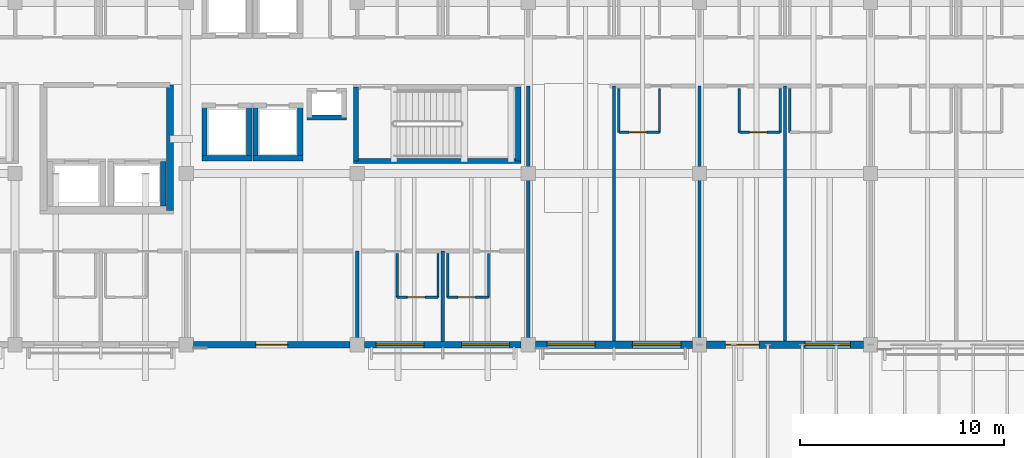
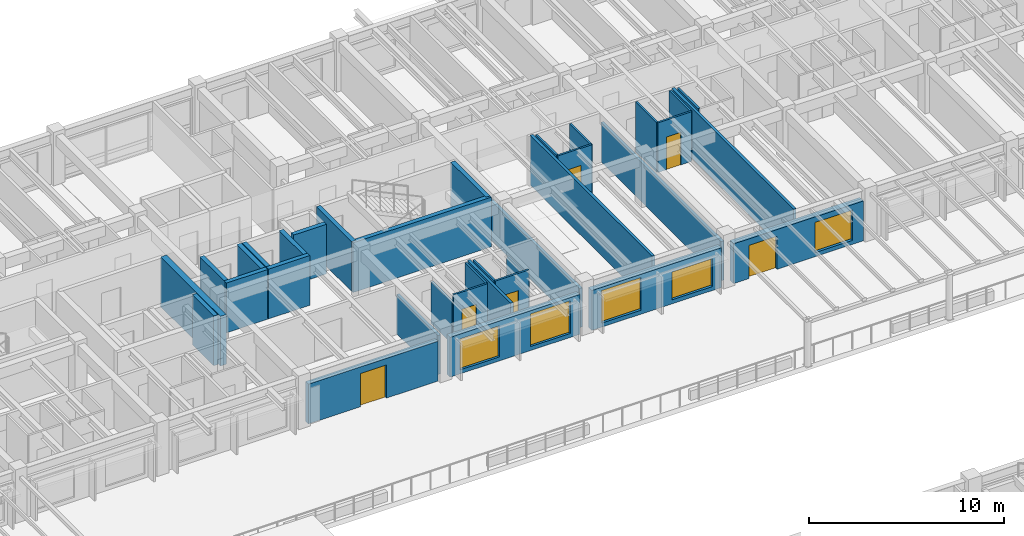
# One storey, part 88 of 111: 35 walls, 6 doors, 5 windows, 11 openings.
"""IFC4 building model written with IfcOpenShell, lengths in metres."""

from ifc_helpers import new_model, si_unit, direction, frame, frame_2d, origin, place, context, subcontext, project, spatial, rectangle, extrude, material, layer, layer_set, type_object, element, fill, save


model = new_model("IFC4")

# Units and contexts
model_context = context("Model", 3, precision=1e-05, world=origin(), true_north=direction((0.0, 1.0)))
body_context = subcontext(model_context, "Body", "Model", "MODEL_VIEW")
ifc_project = project(units=[si_unit("LENGTHUNIT", "METRE"), si_unit("AREAUNIT", "SQUARE_METRE"), si_unit("VOLUMEUNIT", "CUBIC_METRE"), si_unit("PLANEANGLEUNIT", "RADIAN"), si_unit("MASSUNIT", "GRAM", prefix="KILO")], contexts=[model_context])

# Site, building, storey
site_placement = place(None, origin())
site = spatial("IfcSite", under=ifc_project, at=site_placement, CompositionType="ELEMENT")
building_placement = place(site_placement, origin())
building = spatial("IfcBuilding", under=site, at=building_placement, Name="Cumbredor Promenade Congress Hotel", CompositionType="ELEMENT")
storey_placement = place(building_placement, frame((0.0, 0.0, 15.1201171875)))
storey = spatial("IfcBuildingStorey", under=building, at=storey_placement, Name="L04", CompositionType="ELEMENT", Elevation=15.1201171875)

# Wall
ifc_material_1 = material(Name="Concrete C50/60", Category="concrete")
ifc_layer_1 = layer(ifc_material_1, 0.35009765625, Name="Concrete C50/60", Category="concrete")
ifc_layer_set_1 = layer_set([ifc_layer_1], Name="Concrete C50/60")
wall_type_1 = type_object("IfcWallType", Name="Seismic Shear Core Wall 350mm", PredefinedType="SHEAR", material=ifc_layer_set_1)
wall_1_placement = place(storey_placement, frame((32.800048828125, 99.0, 0.0), z_axis=(0.0, 0.0, 1.0), x_axis=(0.0, 1.0, 0.0)))
element("IfcWall", 1, at=wall_1_placement, inside=storey, type_object=wall_type_1, Name="L04 Hotel Core Shear Wall E1", PredefinedType="SHEAR", context=body_context, shape_type="SweptSolid", body=[
    extrude(rectangle(XDim=6.14990234375, YDim=0.35009765625, at=frame_2d((3.074951171875, 0.0))), origin(), (0.0, 0.0, 1.0), 3.119873046875),
])

# Wall, opening, door
ifc_material_2 = material(Name="Moisture-resistant gypsum board on steel studs", Category="steel")
ifc_layer_2 = layer(ifc_material_2, 0.114990234375, Name="Moisture-resistant gypsum board on steel studs", Category="steel")
ifc_layer_set_2 = layer_set([ifc_layer_2], Name="Moisture-resistant gypsum board on steel studs")
wall_type_2 = type_object("IfcWallType", Name="WL-BATH-115", PredefinedType="PARTITIONING", material=ifc_layer_set_2)
wall_2_placement = place(storey_placement, frame((43.9599609375, 94.72998046875, 0.0), z_axis=(0.0, 0.0, 1.0), x_axis=(1.0, 0.0, 0.0)))
wall_2 = element("IfcWall", 2, at=wall_2_placement, inside=storey, type_object=wall_type_2, Name="L04 Interior Partition W-L04-BH-04711", PredefinedType="PARTITIONING", context=body_context, shape_type="SweptSolid", body=[
    extrude(rectangle(XDim=2.0, YDim=0.114990234375, at=frame_2d((1.0, 0.0))), origin(), (0.0, 0.0, 1.0), 3.119873046875),
])
opening_1_placement = place(wall_2_placement, frame((0.5, 0.0, 0.0)))
opening_1 = element("IfcOpeningElement", 3, at=opening_1_placement, cuts=wall_2, Name="Opening ID-01", PredefinedType="OPENING", context=body_context, shape_type="SweptSolid", body=[
    extrude(rectangle(XDim=0.860107421875, YDim=2.050048828125, at=frame_2d((0.43017578125, 1.02490234375))), frame((0.0, 0.0673828125, 0.0), z_axis=(0.0, -1.0, 0.0), x_axis=(1.0, 0.0, 0.0)), (0.0, 0.0, 1.0), 0.135009765625),
])
ifc_material_3 = material(Name="Kiln-dried tropical hardwood", Category="wood")
door_type_1 = type_object("IfcDoorType", Name="DR-BATH-860", OperationType="NOTDEFINED", PredefinedType="DOOR", material=ifc_material_3)
door_1_placement = place(opening_1_placement, origin())
door_1 = element("IfcDoor", 4, at=door_1_placement, inside=storey, type_object=door_type_1, Name="L04 Interior Door W-L04-BH-04711-01", OperationType="SINGLE_SWING_LEFT", OverallHeight=2.050048828125, OverallWidth=0.860107421875, PredefinedType="DOOR", context=body_context, shape_type="SweptSolid", body=[
    extrude(rectangle(XDim=0.860107421875, YDim=2.050048828125, at=frame_2d((0.43017578125, 1.02490234375))), frame((0.0, 0.02490234375, 0.0), z_axis=(0.0, -1.0, 0.0), x_axis=(1.0, 0.0, 0.0)), (0.0, 0.0, 1.0), 0.050048828125),
])
fill(opening_1, door_1)

# Walls
wall_3_placement = place(storey_placement, frame((43.9599609375, 94.72998046875, 0.0), z_axis=(0.0, 0.0, 1.0), x_axis=(0.0, 1.0, 0.0)))
element("IfcWall", 5, at=wall_3_placement, inside=storey, type_object=wall_type_2, Name="L04 Interior Partition W-L04-BV1-04711", PredefinedType="PARTITIONING", context=body_context, shape_type="SweptSolid", body=[
    extrude(rectangle(XDim=2.14990234375, YDim=0.114990234375, at=frame_2d((1.074951171875, 0.0))), origin(), (0.0, 0.0, 1.0), 2.641845703125),
])
wall_4_placement = place(storey_placement, frame((45.9599609375, 94.72998046875, 0.0), z_axis=(0.0, 0.0, 1.0), x_axis=(0.0, 1.0, 0.0)))
element("IfcWall", 6, at=wall_4_placement, inside=storey, type_object=wall_type_2, Name="L04 Interior Partition W-L04-BV2-04711", PredefinedType="PARTITIONING", context=body_context, shape_type="SweptSolid", body=[
    extrude(rectangle(XDim=2.14990234375, YDim=0.114990234375, at=frame_2d((1.074951171875, 0.0))), origin(), (0.0, 0.0, 1.0), 3.119873046875),
])

# Wall, opening, door
wall_5_placement = place(storey_placement, frame((46.43994140625, 94.72998046875, 0.0), z_axis=(0.0, 0.0, 1.0), x_axis=(1.0, 0.0, 0.0)))
wall_5 = element("IfcWall", 7, at=wall_5_placement, inside=storey, type_object=wall_type_2, Name="L04 Interior Partition W-L04-BH-04712", PredefinedType="PARTITIONING", context=body_context, shape_type="SweptSolid", body=[
    extrude(rectangle(XDim=2.0, YDim=0.114990234375, at=frame_2d((1.0, 0.0))), origin(), (0.0, 0.0, 1.0), 3.119873046875),
])
opening_2_placement = place(wall_5_placement, frame((0.5, 0.0, 0.0)))
opening_2 = element("IfcOpeningElement", 8, at=opening_2_placement, cuts=wall_5, Name="Opening ID-01", PredefinedType="OPENING", context=body_context, shape_type="SweptSolid", body=[
    extrude(rectangle(XDim=0.860107421875, YDim=2.050048828125, at=frame_2d((0.43017578125, 1.02490234375))), frame((0.0, 0.0673828125, 0.0), z_axis=(0.0, -1.0, 0.0), x_axis=(1.0, 0.0, 0.0)), (0.0, 0.0, 1.0), 0.135009765625),
])
door_2_placement = place(opening_2_placement, origin())
door_2 = element("IfcDoor", 9, at=door_2_placement, inside=storey, type_object=door_type_1, Name="L04 Interior Door W-L04-BH-04712-01", OperationType="SINGLE_SWING_RIGHT", OverallHeight=2.050048828125, OverallWidth=0.860107421875, PredefinedType="DOOR", context=body_context, shape_type="SweptSolid", body=[
    extrude(rectangle(XDim=0.860107421875, YDim=2.050048828125, at=frame_2d((0.43017578125, 1.02490234375))), frame((0.0, 0.02490234375, 0.0), z_axis=(0.0, -1.0, 0.0), x_axis=(1.0, 0.0, 0.0)), (0.0, 0.0, 1.0), 0.050048828125),
])
fill(opening_2, door_2)

# Walls
wall_6_placement = place(storey_placement, frame((46.43994140625, 94.72998046875, 0.0), z_axis=(0.0, 0.0, 1.0), x_axis=(0.0, 1.0, 0.0)))
element("IfcWall", 10, at=wall_6_placement, inside=storey, type_object=wall_type_2, Name="L04 Interior Partition W-L04-BV1-04712", PredefinedType="PARTITIONING", context=body_context, shape_type="SweptSolid", body=[
    extrude(rectangle(XDim=2.14990234375, YDim=0.114990234375, at=frame_2d((1.074951171875, 0.0))), origin(), (0.0, 0.0, 1.0), 3.119873046875),
])
wall_7_placement = place(storey_placement, frame((48.43994140625, 94.72998046875, 0.0), z_axis=(0.0, 0.0, 1.0), x_axis=(0.0, 1.0, 0.0)))
element("IfcWall", 11, at=wall_7_placement, inside=storey, type_object=wall_type_2, Name="L04 Interior Partition W-L04-BV2-04712", PredefinedType="PARTITIONING", context=body_context, shape_type="SweptSolid", body=[
    extrude(rectangle(XDim=2.14990234375, YDim=0.114990234375, at=frame_2d((1.074951171875, 0.0))), origin(), (0.0, 0.0, 1.0), 2.641845703125),
])

# Wall, opening, door
wall_8_placement = place(storey_placement, frame((54.840087890625, 102.830078125, 0.0), z_axis=(0.0, 0.0, 1.0), x_axis=(1.0, 0.0, 0.0)))
wall_8 = element("IfcWall", 12, at=wall_8_placement, inside=storey, type_object=wall_type_2, Name="L04 Interior Partition W-L04-BH-0418", PredefinedType="PARTITIONING", context=body_context, shape_type="SweptSolid", body=[
    extrude(rectangle(XDim=2.0, YDim=0.114990234375, at=frame_2d((1.0, 0.0))), origin(), (0.0, 0.0, 1.0), 3.119873046875),
])
opening_3_placement = place(wall_8_placement, frame((0.5, 0.0, 0.0)))
opening_3 = element("IfcOpeningElement", 13, at=opening_3_placement, cuts=wall_8, Name="Opening ID-01", PredefinedType="OPENING", context=body_context, shape_type="SweptSolid", body=[
    extrude(rectangle(XDim=0.860107421875, YDim=2.050048828125, at=frame_2d((0.43017578125, 1.02490234375))), frame((0.0, 0.0673828125, 0.0), z_axis=(0.0, -1.0, 0.0), x_axis=(1.0, 0.0, 0.0)), (0.0, 0.0, 1.0), 0.135009765625),
])
door_3_placement = place(opening_3_placement, origin())
door_3 = element("IfcDoor", 14, at=door_3_placement, inside=storey, type_object=door_type_1, Name="L04 Interior Door W-L04-BH-0418-01", OperationType="SINGLE_SWING_LEFT", OverallHeight=2.050048828125, OverallWidth=0.860107421875, PredefinedType="DOOR", context=body_context, shape_type="SweptSolid", body=[
    extrude(rectangle(XDim=0.860107421875, YDim=2.050048828125, at=frame_2d((0.43017578125, 1.02490234375))), frame((0.0, 0.02490234375, 0.0), z_axis=(0.0, -1.0, 0.0), x_axis=(1.0, 0.0, 0.0)), (0.0, 0.0, 1.0), 0.050048828125),
])
fill(opening_3, door_3)

# Walls
for number, where, z_axis, x_axis, name in (
    (15, (54.840087890625, 102.830078125, 0.0), (0.0, 0.0, 1.0), (0.0, 1.0, 0.0), "L04 Interior Partition W-L04-BV1-0418"),
    (16, (56.840087890625, 102.830078125, 0.0), (0.0, 0.0, 1.0), (0.0, 1.0, 0.0), "L04 Interior Partition W-L04-BV2-0418"),
):
    element("IfcWall", number, at=place(storey_placement, frame(where, z_axis=z_axis, x_axis=x_axis)), inside=storey, type_object=wall_type_2, Name=name, PredefinedType="PARTITIONING", context=body_context, shape_type="SweptSolid", body=[
        extrude(rectangle(XDim=2.14990234375, YDim=0.114990234375, at=frame_2d((1.074951171875, 0.0))), origin(), (0.0, 0.0, 1.0), 3.119873046875),
    ])

# Wall, opening, door
wall_9_placement = place(storey_placement, frame((60.760009765625, 102.830078125, 0.0), z_axis=(0.0, 0.0, 1.0), x_axis=(1.0, 0.0, 0.0)))
wall_9 = element("IfcWall", 17, at=wall_9_placement, inside=storey, type_object=wall_type_2, Name="L04 Interior Partition W-L04-BH-0419", PredefinedType="PARTITIONING", context=body_context, shape_type="SweptSolid", body=[
    extrude(rectangle(XDim=2.0, YDim=0.114990234375, at=frame_2d((1.0, 0.0))), origin(), (0.0, 0.0, 1.0), 3.119873046875),
])
opening_4_placement = place(wall_9_placement, frame((0.5, 0.0, 0.0)))
opening_4 = element("IfcOpeningElement", 18, at=opening_4_placement, cuts=wall_9, Name="Opening ID-01", PredefinedType="OPENING", context=body_context, shape_type="SweptSolid", body=[
    extrude(rectangle(XDim=0.860107421875, YDim=2.050048828125, at=frame_2d((0.43017578125, 1.02490234375))), frame((0.0, 0.0673828125, 0.0), z_axis=(0.0, -1.0, 0.0), x_axis=(1.0, 0.0, 0.0)), (0.0, 0.0, 1.0), 0.135009765625),
])
door_4_placement = place(opening_4_placement, origin())
door_4 = element("IfcDoor", 19, at=door_4_placement, inside=storey, type_object=door_type_1, Name="L04 Interior Door W-L04-BH-0419-01", OperationType="SINGLE_SWING_RIGHT", OverallHeight=2.050048828125, OverallWidth=0.860107421875, PredefinedType="DOOR", context=body_context, shape_type="SweptSolid", body=[
    extrude(rectangle(XDim=0.860107421875, YDim=2.050048828125, at=frame_2d((0.43017578125, 1.02490234375))), frame((0.0, 0.02490234375, 0.0), z_axis=(0.0, -1.0, 0.0), x_axis=(1.0, 0.0, 0.0)), (0.0, 0.0, 1.0), 0.050048828125),
])
fill(opening_4, door_4)

# Walls
for number, where, z_axis, x_axis, name in (
    (20, (60.760009765625, 102.830078125, 0.0), (0.0, 0.0, 1.0), (0.0, 1.0, 0.0), "L04 Interior Partition W-L04-BV1-0419"),
    (21, (62.760009765625, 102.830078125, 0.0), (0.0, 0.0, 1.0), (0.0, 1.0, 0.0), "L04 Interior Partition W-L04-BV2-0419"),
    (22, (63.239990234375, 102.830078125, 0.0), (0.0, 0.0, 1.0), (0.0, 1.0, 0.0), "L04 Interior Partition W-L04-BV1-0420"),
):
    element("IfcWall", number, at=place(storey_placement, frame(where, z_axis=z_axis, x_axis=x_axis)), inside=storey, type_object=wall_type_2, Name=name, PredefinedType="PARTITIONING", context=body_context, shape_type="SweptSolid", body=[
        extrude(rectangle(XDim=2.14990234375, YDim=0.114990234375, at=frame_2d((1.074951171875, 0.0))), origin(), (0.0, 0.0, 1.0), 3.119873046875),
    ])

# Wall, opening, door
ifc_material_4 = material(Name="Concrete C40/50", Category="concrete")
ifc_layer_3 = layer(ifc_material_4, 0.300048828125, Name="Concrete C40/50", Category="concrete")
ifc_layer_set_3 = layer_set([ifc_layer_3], Name="Concrete C40/50")
wall_type_3 = type_object("IfcWallType", Name="WL-EXT-300", PredefinedType="SOLIDWALL", material=ifc_layer_set_3)
wall_10_placement = place(storey_placement, frame((33.950927734375, 92.39990234375, 0.0), z_axis=(0.0, 0.0, 1.0), x_axis=(1.0, 0.0, 0.0)))
wall_10 = element("IfcWall", 23, at=wall_10_placement, inside=storey, type_object=wall_type_3, Name="L04 Stepped Congress Hotel Wing South Envelope Wall 5", PredefinedType="SOLIDWALL", context=body_context, shape_type="SweptSolid", body=[
    extrude(rectangle(XDim=7.697998046875, YDim=0.300048828125, at=frame_2d((3.84912109375, 0.0))), origin(), (0.0, 0.0, 1.0), 2.493896484375),
])
opening_5_placement = place(wall_10_placement, frame((3.073974609375, 0.0, 0.0)))
opening_5 = element("IfcOpeningElement", 24, at=opening_5_placement, cuts=wall_10, Name="Opening TD-01", PredefinedType="OPENING", context=body_context, shape_type="SweptSolid", body=[
    extrude(rectangle(XDim=1.550048828125, YDim=2.080078125, at=frame_2d((0.77490234375, 1.0400390625))), frame((0.0, 0.16015625, 0.0), z_axis=(0.0, -1.0, 0.0), x_axis=(1.0, 0.0, 0.0)), (0.0, 0.0, 1.0), 0.320068359375),
])
ifc_material_5 = material(Name="Thermally broken anodized aluminium and laminated safety glass", Category="aluminium")
door_type_2 = type_object("IfcDoorType", Name="EXT-DR-TER-1550x2080", OperationType="DOUBLE_DOOR_SINGLE_SWING", PredefinedType="DOOR", material=ifc_material_5)
door_5_placement = place(opening_5_placement, frame((1.550048828125, 0.0, 0.0), z_axis=(0.0, 0.0, 1.0), x_axis=(-1.0, 0.0, 0.0)))
door_5 = element("IfcDoor", 25, at=door_5_placement, inside=storey, type_object=door_type_2, Name="L04 Sky Garden Terrace Access Door 50", OperationType="DOUBLE_DOOR_SINGLE_SWING", OverallHeight=2.080078125, OverallWidth=1.550048828125, PredefinedType="DOOR", context=body_context, shape_type="SweptSolid", body=[
    extrude(rectangle(XDim=1.550048828125, YDim=2.080078125, at=frame_2d((0.77490234375, 1.0400390625))), frame((0.0, 0.02490234375, 0.0), z_axis=(0.0, -1.0, 0.0), x_axis=(1.0, 0.0, 0.0)), (0.0, 0.0, 1.0), 0.050048828125),
])
fill(opening_5, door_5)

# Wall, openings, windows
ifc_layer_4 = layer(ifc_material_4, 0.324951171875, Name="Concrete C40/50", Category="concrete")
ifc_layer_set_4 = layer_set([ifc_layer_4], Name="Concrete C40/50")
wall_type_4 = type_object("IfcWallType", Name="WL-EXT-325", PredefinedType="SOLIDWALL", material=ifc_layer_set_4)
wall_11_placement = place(storey_placement, frame((42.35107421875, 92.39990234375, 0.0), z_axis=(0.0, 0.0, 1.0), x_axis=(1.0, 0.0, 0.0)))
wall_11 = element("IfcWall", 26, at=wall_11_placement, inside=storey, type_object=wall_type_4, Name="L04 Stepped Congress Hotel Wing South Envelope Wall 6", PredefinedType="SOLIDWALL", context=body_context, shape_type="SweptSolid", body=[
    extrude(rectangle(XDim=7.697998046875, YDim=0.324951171875, at=frame_2d((3.84912109375, 0.0))), origin(), (0.0, 0.0, 1.0), 2.493896484375),
])
opening_6_placement = place(wall_11_placement, frame((0.573974609375, 0.0, 0.25)))
opening_6 = element("IfcOpeningElement", 27, at=opening_6_placement, cuts=wall_11, Name="Opening WN-08", PredefinedType="OPENING", context=body_context, shape_type="SweptSolid", body=[
    extrude(rectangle(XDim=2.35009765625, YDim=1.949951171875, at=frame_2d((1.175048828125, 0.97509765625))), frame((0.0, 0.17236328125, 0.0), z_axis=(0.0, -1.0, 0.0), x_axis=(1.0, 0.0, 0.0)), (0.0, 0.0, 1.0), 0.344970703125),
])
opening_7_placement = place(wall_11_placement, frame((4.77392578125, 0.0, 0.25)))
opening_7 = element("IfcOpeningElement", 28, at=opening_7_placement, cuts=wall_11, Name="Opening WN-14", PredefinedType="OPENING", context=body_context, shape_type="SweptSolid", body=[
    extrude(rectangle(XDim=2.35009765625, YDim=2.050048828125, at=frame_2d((1.175048828125, 1.02490234375))), frame((0.0, 0.17236328125, 0.0), z_axis=(0.0, -1.0, 0.0), x_axis=(1.0, 0.0, 0.0)), (0.0, 0.0, 1.0), 0.344970703125),
])
ifc_material_6 = material(Name="Thermally broken anodized aluminium and low-E glass", Category="aluminium")
window_type_1 = type_object("IfcWindowType", Name="Hospitality Floor-to-Ceiling Window WN-08 2350x1950", PartitioningType="DOUBLE_PANEL_VERTICAL", PredefinedType="WINDOW", material=ifc_material_6)
window_1_placement = place(opening_6_placement, origin())
window_1 = element("IfcWindow", 29, at=window_1_placement, inside=storey, type_object=window_type_1, Name="L04 Wide Hospitality Window 0480", OverallHeight=1.949951171875, OverallWidth=2.35009765625, PartitioningType="DOUBLE_PANEL_VERTICAL", PredefinedType="WINDOW", context=body_context, shape_type="SweptSolid", body=[
    extrude(rectangle(XDim=2.35009765625, YDim=1.949951171875, at=frame_2d((1.175048828125, 0.97509765625))), frame((0.0, 0.030029296875, 0.0), z_axis=(0.0, -1.0, 0.0), x_axis=(1.0, 0.0, 0.0)), (0.0, 0.0, 1.0), 0.06005859375),
])
fill(opening_6, window_1)
window_type_2 = type_object("IfcWindowType", Name="Hospitality Floor-to-Ceiling Window WN-14 2350x2050", PartitioningType="DOUBLE_PANEL_VERTICAL", PredefinedType="WINDOW", material=ifc_material_6)
window_2_placement = place(opening_7_placement, origin())
window_2 = element("IfcWindow", 30, at=window_2_placement, inside=storey, type_object=window_type_2, Name="L04 Wide Hospitality Window 0481", OverallHeight=2.050048828125, OverallWidth=2.35009765625, PartitioningType="DOUBLE_PANEL_VERTICAL", PredefinedType="WINDOW", context=body_context, shape_type="SweptSolid", body=[
    extrude(rectangle(XDim=2.35009765625, YDim=2.050048828125, at=frame_2d((1.175048828125, 1.02490234375))), frame((0.0, 0.030029296875, 0.0), z_axis=(0.0, -1.0, 0.0), x_axis=(1.0, 0.0, 0.0)), (0.0, 0.0, 1.0), 0.06005859375),
])
fill(opening_7, window_2)

ifc_layer_5 = layer(ifc_material_4, 0.35009765625, Name="Concrete C40/50", Category="concrete")
ifc_layer_set_5 = layer_set([ifc_layer_5], Name="Concrete C40/50")
wall_type_5 = type_object("IfcWallType", Name="WL-EXT-350", PredefinedType="SOLIDWALL", material=ifc_layer_set_5)
wall_12_placement = place(storey_placement, frame((50.7509765625, 92.39990234375, 0.0), z_axis=(0.0, 0.0, 1.0), x_axis=(1.0, 0.0, 0.0)))
wall_12 = element("IfcWall", 31, at=wall_12_placement, inside=storey, type_object=wall_type_5, Name="L04 Stepped Congress Hotel Wing South Envelope Wall 7", PredefinedType="SOLIDWALL", context=body_context, shape_type="SweptSolid", body=[
    extrude(rectangle(XDim=7.697998046875, YDim=0.35009765625, at=frame_2d((3.84912109375, 0.0))), origin(), (0.0, 0.0, 1.0), 2.493896484375),
])
opening_8_placement = place(wall_12_placement, frame((0.573974609375, 0.0, 0.25)))
opening_8 = element("IfcOpeningElement", 32, at=opening_8_placement, cuts=wall_12, Name="Opening WN-14", PredefinedType="OPENING", context=body_context, shape_type="SweptSolid", body=[
    extrude(rectangle(XDim=2.35009765625, YDim=2.050048828125, at=frame_2d((1.175048828125, 1.02490234375))), frame((0.0, 0.18505859375, 0.0), z_axis=(0.0, -1.0, 0.0), x_axis=(1.0, 0.0, 0.0)), (0.0, 0.0, 1.0), 0.3701171875),
])
opening_9_placement = place(wall_12_placement, frame((4.7490234375, 0.0, 0.25)))
opening_9 = element("IfcOpeningElement", 33, at=opening_9_placement, cuts=wall_12, Name="Opening WN-26", PredefinedType="OPENING", context=body_context, shape_type="SweptSolid", body=[
    extrude(rectangle(XDim=2.39990234375, YDim=1.75, at=frame_2d((1.199951171875, 0.875))), frame((0.0, 0.18505859375, 0.0), z_axis=(0.0, -1.0, 0.0), x_axis=(1.0, 0.0, 0.0)), (0.0, 0.0, 1.0), 0.3701171875),
])
window_3_placement = place(opening_8_placement, origin())
window_3 = element("IfcWindow", 34, at=window_3_placement, inside=storey, type_object=window_type_2, Name="L04 Wide Hospitality Window 0482", OverallHeight=2.050048828125, OverallWidth=2.35009765625, PartitioningType="DOUBLE_PANEL_VERTICAL", PredefinedType="WINDOW", context=body_context, shape_type="SweptSolid", body=[
    extrude(rectangle(XDim=2.35009765625, YDim=2.050048828125, at=frame_2d((1.175048828125, 1.02490234375))), frame((0.0, 0.030029296875, 0.0), z_axis=(0.0, -1.0, 0.0), x_axis=(1.0, 0.0, 0.0)), (0.0, 0.0, 1.0), 0.06005859375),
])
fill(opening_8, window_3)
window_type_3 = type_object("IfcWindowType", Name="Hospitality Floor-to-Ceiling Window WN-26 2400x1750", PartitioningType="DOUBLE_PANEL_VERTICAL", PredefinedType="WINDOW", material=ifc_material_6)
window_4_placement = place(opening_9_placement, origin())
window_4 = element("IfcWindow", 35, at=window_4_placement, inside=storey, type_object=window_type_3, Name="L04 Wide Hospitality Window 0483", OverallHeight=1.75, OverallWidth=2.39990234375, PartitioningType="DOUBLE_PANEL_VERTICAL", PredefinedType="WINDOW", context=body_context, shape_type="SweptSolid", body=[
    extrude(rectangle(XDim=2.39990234375, YDim=1.75, at=frame_2d((1.199951171875, 0.875))), frame((0.0, 0.030029296875, 0.0), z_axis=(0.0, -1.0, 0.0), x_axis=(1.0, 0.0, 0.0)), (0.0, 0.0, 1.0), 0.06005859375),
])
fill(opening_9, window_4)

# Wall, openings, door, window
ifc_layer_6 = layer(ifc_material_4, 0.3798828125, Name="Concrete C40/50", Category="concrete")
ifc_layer_set_6 = layer_set([ifc_layer_6], Name="Concrete C40/50")
wall_type_6 = type_object("IfcWallType", Name="WL-EXT-380", PredefinedType="SOLIDWALL", material=ifc_layer_set_6)
wall_13_placement = place(storey_placement, frame((59.15087890625, 92.39990234375, 0.0), z_axis=(0.0, 0.0, 1.0), x_axis=(1.0, 0.0, 0.0)))
wall_13 = element("IfcWall", 36, at=wall_13_placement, inside=storey, type_object=wall_type_6, Name="L04 Stepped Congress Hotel Wing South Envelope Wall 8", PredefinedType="SOLIDWALL", context=body_context, shape_type="SweptSolid", body=[
    extrude(rectangle(XDim=7.6982421875, YDim=0.3798828125, at=frame_2d((3.84912109375, 0.0))), origin(), (0.0, 0.0, 1.0), 2.493896484375),
])
opening_10_placement = place(wall_13_placement, frame((0.924072265625, 0.0, 0.0)))
opening_10 = element("IfcOpeningElement", 37, at=opening_10_placement, cuts=wall_13, Name="Opening TD-02", PredefinedType="OPENING", context=body_context, shape_type="SweptSolid", body=[
    extrude(rectangle(XDim=1.64990234375, YDim=2.080078125, at=frame_2d((0.824951171875, 1.0400390625))), frame((0.0, 0.199951171875, 0.0), z_axis=(0.0, -1.0, 0.0), x_axis=(1.0, 0.0, 0.0)), (0.0, 0.0, 1.0), 0.39990234375),
])
opening_11_placement = place(wall_13_placement, frame((4.839111328125, 0.0, 0.25)))
opening_11 = element("IfcOpeningElement", 38, at=opening_11_placement, cuts=wall_13, Name="Opening WN-35", PredefinedType="OPENING", context=body_context, shape_type="SweptSolid", body=[
    extrude(rectangle(XDim=2.219970703125, YDim=1.89990234375, at=frame_2d((1.10986328125, 0.949951171875))), frame((0.0, 0.199951171875, 0.0), z_axis=(0.0, -1.0, 0.0), x_axis=(1.0, 0.0, 0.0)), (0.0, 0.0, 1.0), 0.39990234375),
])
door_type_3 = type_object("IfcDoorType", Name="EXT-DR-TER-1650x2080", OperationType="DOUBLE_DOOR_SINGLE_SWING", PredefinedType="DOOR", material=ifc_material_5)
door_6_placement = place(opening_10_placement, frame((1.64990234375, 0.0, 0.0), z_axis=(0.0, 0.0, 1.0), x_axis=(-1.0, 0.0, 0.0)))
door_6 = element("IfcDoor", 39, at=door_6_placement, inside=storey, type_object=door_type_3, Name="L04 Sky Garden Terrace Access Door 51", OperationType="DOUBLE_DOOR_SINGLE_SWING", OverallHeight=2.080078125, OverallWidth=1.64990234375, PredefinedType="DOOR", context=body_context, shape_type="SweptSolid", body=[
    extrude(rectangle(XDim=1.64990234375, YDim=2.080078125, at=frame_2d((0.824951171875, 1.0400390625))), frame((0.0, 0.02490234375, 0.0), z_axis=(0.0, -1.0, 0.0), x_axis=(1.0, 0.0, 0.0)), (0.0, 0.0, 1.0), 0.050048828125),
])
fill(opening_10, door_6)
window_type_4 = type_object("IfcWindowType", Name="Hospitality Floor-to-Ceiling Window WN-35 2220x1900", PartitioningType="DOUBLE_PANEL_VERTICAL", PredefinedType="WINDOW", material=ifc_material_6)
window_5_placement = place(opening_11_placement, origin())
window_5 = element("IfcWindow", 40, at=window_5_placement, inside=storey, type_object=window_type_4, Name="L04 Terrace Companion Floor-to-Ceiling Window 0484", OverallHeight=1.89990234375, OverallWidth=2.219970703125, PartitioningType="DOUBLE_PANEL_VERTICAL", PredefinedType="WINDOW", context=body_context, shape_type="SweptSolid", body=[
    extrude(rectangle(XDim=2.219970703125, YDim=1.89990234375, at=frame_2d((1.10986328125, 0.949951171875))), frame((0.0, 0.030029296875, 0.0), z_axis=(0.0, -1.0, 0.0), x_axis=(1.0, 0.0, 0.0)), (0.0, 0.0, 1.0), 0.06005859375),
])
fill(opening_11, window_5)

# Walls
ifc_layer_7 = layer(ifc_material_4, 0.2548828125, Name="Concrete C40/50", Category="concrete")
ifc_layer_set_7 = layer_set([ifc_layer_7], Name="Concrete C40/50")
wall_type_7 = type_object("IfcWallType", Name="WL-SHAFT-250", PredefinedType="SOLIDWALL", material=ifc_layer_set_7)
wall_14_placement = place(storey_placement, frame((41.802490234375, 101.419921875, 0.0), z_axis=(0.0, 0.0, 1.0), x_axis=(1.0, 0.0, 0.0)))
element("IfcWall", 41, at=wall_14_placement, inside=storey, type_object=wall_type_7, Name="STAIR-ST-03-L04 Shaft Wall South", PredefinedType="SOLIDWALL", context=body_context, shape_type="SweptSolid", body=[
    extrude(rectangle(XDim=8.22509765625, YDim=0.2548828125, at=frame_2d((4.112548828125, 0.0))), origin(), (0.0, 0.0, 1.0), 3.119873046875),
])
for number, where, z_axis, x_axis, name in (
    (42, (41.929931640625, 101.419921875, 0.0), (0.0, 0.0, 1.0), (0.0, 1.0, 0.0), "STAIR-ST-03-L04 Shaft Wall West"),
    (43, (49.89990234375, 101.419921875, 0.0), (0.0, 0.0, 1.0), (0.0, 1.0, 0.0), "STAIR-ST-03-L04 Shaft Wall East"),
):
    element("IfcWall", number, at=place(storey_placement, frame(where, z_axis=z_axis, x_axis=x_axis)), inside=storey, type_object=wall_type_7, Name=name, PredefinedType="SOLIDWALL", context=body_context, shape_type="SweptSolid", body=[
        extrude(rectangle(XDim=3.630126953125, YDim=0.2548828125, at=frame_2d((1.81494140625, 0.0))), origin(), (0.0, 0.0, 1.0), 3.119873046875),
    ])
wall_15_placement = place(storey_placement, frame((32.469970703125, 99.199951171875, 0.0), z_axis=(0.0, 0.0, 1.0), x_axis=(0.0, 1.0, 0.0)))
element("IfcWall", 44, at=wall_15_placement, inside=storey, type_object=wall_type_7, Name="SHAFT-FF-02-L04 Shaft Wall East", PredefinedType="SOLIDWALL", context=body_context, shape_type="SweptSolid", body=[
    extrude(rectangle(XDim=2.199951171875, YDim=0.2548828125, at=frame_2d((1.10009765625, 0.0))), origin(), (0.0, 0.0, 1.0), 3.119873046875),
])
wall_16_placement = place(storey_placement, frame((34.37255859375, 101.550048828125, 0.0), z_axis=(0.0, 0.0, 1.0), x_axis=(1.0, 0.0, 0.0)))
element("IfcWall", 45, at=wall_16_placement, inside=storey, type_object=wall_type_7, Name="SHAFT-PL-03-L04 Shaft Wall South", PredefinedType="SOLIDWALL", context=body_context, shape_type="SweptSolid", body=[
    extrude(rectangle(XDim=2.454833984375, YDim=0.2548828125, at=frame_2d((1.2275390625, 0.0))), origin(), (0.0, 0.0, 1.0), 3.119873046875),
])
for number, where, z_axis, x_axis, name in (
    (46, (34.5, 101.550048828125, 0.0), (0.0, 0.0, 1.0), (0.0, 1.0, 0.0), "SHAFT-PL-03-L04 Shaft Wall West"),
    (47, (36.699951171875, 101.550048828125, 0.0), (0.0, 0.0, 1.0), (0.0, 1.0, 0.0), "SHAFT-PL-03-L04 Shaft Wall East"),
):
    element("IfcWall", number, at=place(storey_placement, frame(where, z_axis=z_axis, x_axis=x_axis)), inside=storey, type_object=wall_type_7, Name=name, PredefinedType="SOLIDWALL", context=body_context, shape_type="SweptSolid", body=[
        extrude(rectangle(XDim=2.599853515625, YDim=0.2548828125, at=frame_2d((1.2998046875, 0.0))), origin(), (0.0, 0.0, 1.0), 3.119873046875),
    ])
wall_17_placement = place(storey_placement, frame((36.87255859375, 101.550048828125, 0.0), z_axis=(0.0, 0.0, 1.0), x_axis=(1.0, 0.0, 0.0)))
element("IfcWall", 48, at=wall_17_placement, inside=storey, type_object=wall_type_7, Name="SHAFT-PL-04-L04 Shaft Wall South", PredefinedType="SOLIDWALL", context=body_context, shape_type="SweptSolid", body=[
    extrude(rectangle(XDim=2.454833984375, YDim=0.2548828125, at=frame_2d((1.2275390625, 0.0))), origin(), (0.0, 0.0, 1.0), 3.119873046875),
])
for number, where, z_axis, x_axis, name in (
    (49, (37.0, 101.550048828125, 0.0), (0.0, 0.0, 1.0), (0.0, 1.0, 0.0), "SHAFT-PL-04-L04 Shaft Wall West"),
    (50, (39.199951171875, 101.550048828125, 0.0), (0.0, 0.0, 1.0), (0.0, 1.0, 0.0), "SHAFT-PL-04-L04 Shaft Wall East"),
):
    element("IfcWall", number, at=place(storey_placement, frame(where, z_axis=z_axis, x_axis=x_axis)), inside=storey, type_object=wall_type_7, Name=name, PredefinedType="SOLIDWALL", context=body_context, shape_type="SweptSolid", body=[
        extrude(rectangle(XDim=2.599853515625, YDim=0.2548828125, at=frame_2d((1.2998046875, 0.0))), origin(), (0.0, 0.0, 1.0), 3.119873046875),
    ])
wall_18_placement = place(storey_placement, frame((39.5224609375, 103.550048828125, 0.0), z_axis=(0.0, 0.0, 1.0), x_axis=(1.0, 0.0, 0.0)))
element("IfcWall", 51, at=wall_18_placement, inside=storey, type_object=wall_type_7, Name="RISER-MEP-R1-L04 Shaft Wall South", PredefinedType="SOLIDWALL", context=body_context, shape_type="SweptSolid", body=[
    extrude(rectangle(XDim=1.955078125, YDim=0.2548828125, at=frame_2d((0.9775390625, 0.0))), origin(), (0.0, 0.0, 1.0), 3.119873046875),
])
ifc_material_7 = material(Name="Fire-rated acoustic double-stud partition")
ifc_layer_8 = layer(ifc_material_7, 0.1650390625, Name="Fire-rated acoustic double-stud partition")
ifc_layer_set_8 = layer_set([ifc_layer_8], Name="Fire-rated acoustic double-stud partition")
wall_type_8 = type_object("IfcWallType", Name="WL-UNIT-165", PredefinedType="PARTITIONING", material=ifc_layer_set_8)
wall_19_placement = place(storey_placement, frame((46.199951171875, 92.5625, 0.0), z_axis=(0.0, 0.0, 1.0), x_axis=(0.0, 1.0, 0.0)))
element("IfcWall", 52, at=wall_19_placement, inside=storey, type_object=wall_type_8, Name="L04 Interior Partition W-L04-SC-DIV-5-M", PredefinedType="PARTITIONING", context=body_context, shape_type="SweptSolid", body=[
    extrude(rectangle(XDim=4.4375, YDim=0.1650390625, at=frame_2d((2.21875, 0.0))), origin(), (0.0, 0.0, 1.0), 3.119873046875),
])
wall_20_placement = place(storey_placement, frame((42.0, 92.75, 0.0), z_axis=(0.0, 0.0, 1.0), x_axis=(0.0, 1.0, 0.0)))
element("IfcWall", 53, at=wall_20_placement, inside=storey, type_object=wall_type_8, Name="L04 Interior Partition W-L04-SC-DIV-5-G", PredefinedType="PARTITIONING", context=body_context, shape_type="SweptSolid", body=[
    extrude(rectangle(XDim=4.25, YDim=0.1650390625, at=frame_2d((2.125, 0.0))), origin(), (0.0, 0.0, 1.0), 2.454833984375),
])
wall_21_placement = place(storey_placement, frame((54.60009765625, 92.574951171875, 0.0), z_axis=(0.0, 0.0, 1.0), x_axis=(0.0, 1.0, 0.0)))
element("IfcWall", 54, at=wall_21_placement, inside=storey, type_object=wall_type_8, Name="L04 Interior Partition W-L04-SE-DIV-0-M", PredefinedType="PARTITIONING", context=body_context, shape_type="SweptSolid", body=[
    extrude(rectangle(XDim=12.525146484375, YDim=0.1650390625, at=frame_2d((6.2626953125, 0.0))), origin(), (0.0, 0.0, 1.0), 3.119873046875),
])
wall_22_placement = place(storey_placement, frame((50.39990234375, 92.75, 0.0), z_axis=(0.0, 0.0, 1.0), x_axis=(0.0, 1.0, 0.0)))
element("IfcWall", 55, at=wall_22_placement, inside=storey, type_object=wall_type_8, Name="L04 Interior Partition W-L04-SE-DIV-0-G", PredefinedType="PARTITIONING", context=body_context, shape_type="SweptSolid", body=[
    extrude(rectangle(XDim=12.35009765625, YDim=0.1650390625, at=frame_2d((6.175048828125, 0.0))), origin(), (0.0, 0.0, 1.0), 2.454833984375),
])
wall_23_placement = place(storey_placement, frame((63.0, 92.590087890625, 0.0), z_axis=(0.0, 0.0, 1.0), x_axis=(0.0, 1.0, 0.0)))
element("IfcWall", 56, at=wall_23_placement, inside=storey, type_object=wall_type_8, Name="L04 Interior Partition W-L04-SE-DIV-1-M", PredefinedType="PARTITIONING", context=body_context, shape_type="SweptSolid", body=[
    extrude(rectangle(XDim=12.510009765625, YDim=0.1650390625, at=frame_2d((6.2548828125, 0.0))), origin(), (0.0, 0.0, 1.0), 3.119873046875),
])
wall_24_placement = place(storey_placement, frame((58.800048828125, 92.75, 0.0), z_axis=(0.0, 0.0, 1.0), x_axis=(0.0, 1.0, 0.0)))
element("IfcWall", 57, at=wall_24_placement, inside=storey, type_object=wall_type_8, Name="L04 Interior Partition W-L04-SE-DIV-1-G", PredefinedType="PARTITIONING", context=body_context, shape_type="SweptSolid", body=[
    extrude(rectangle(XDim=12.35009765625, YDim=0.1650390625, at=frame_2d((6.175048828125, 0.0))), origin(), (0.0, 0.0, 1.0), 2.454833984375),
])

save(model, "model.ifc")
